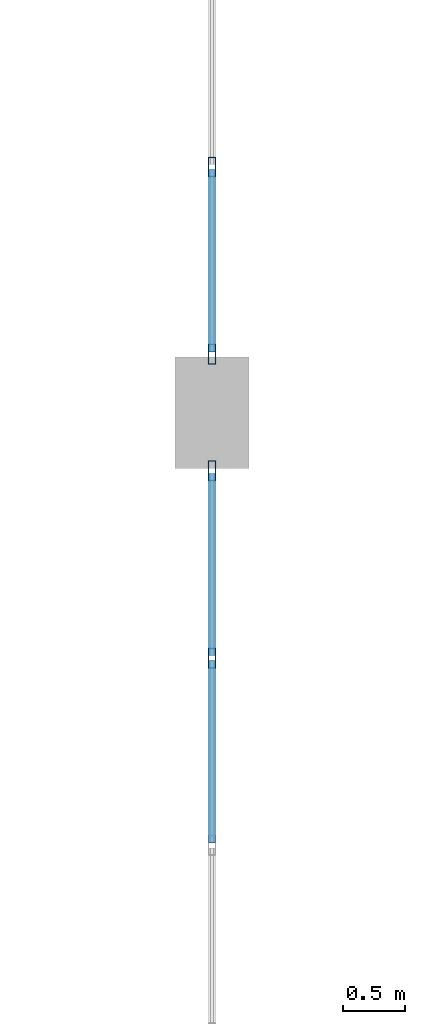
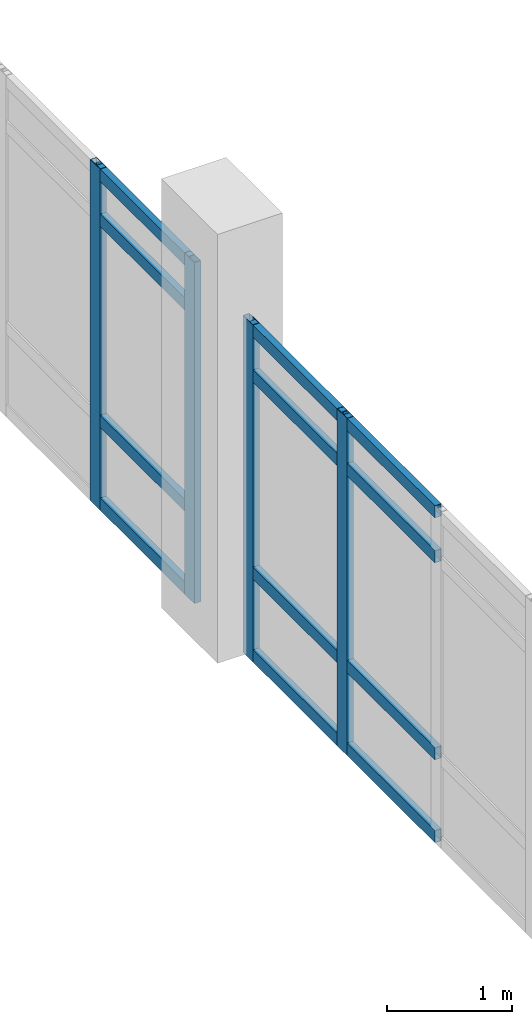
# One storey, part 16 of 111: 16 members, 2 elements without a shape of their own.
"""IFC4 building model written with IfcOpenShell, lengths in metres."""

from ifc_helpers import new_model, si_unit, direction, frame, origin, origin_2d, place, context, subcontext, project, spatial, hollow_rectangle, extrude, material, layer, layer_set, material_profile, profile_set, type_object, element, aggregate, save


model = new_model("IFC4")

# Units and contexts
model_context = context("Model", 3, precision=1e-05, world=origin(), true_north=direction((0.0, 1.0)))
body_context = subcontext(model_context, "Body", "Model", "MODEL_VIEW")
ifc_project = project(units=[si_unit("LENGTHUNIT", "METRE"), si_unit("AREAUNIT", "SQUARE_METRE"), si_unit("VOLUMEUNIT", "CUBIC_METRE"), si_unit("PLANEANGLEUNIT", "RADIAN"), si_unit("MASSUNIT", "GRAM", prefix="KILO")], contexts=[model_context])

# Site, building, storey
site_placement = place(None, origin())
site = spatial("IfcSite", under=ifc_project, at=site_placement, CompositionType="ELEMENT")
building_placement = place(site_placement, origin())
building = spatial("IfcBuilding", under=site, at=building_placement, Name="Mersad Railyard Sports Hall", CompositionType="ELEMENT")
storey_placement = place(building_placement, frame((0.0, 0.0, 9.0)))
storey = spatial("IfcBuildingStorey", under=building, at=storey_placement, Name="L02", CompositionType="ELEMENT", Elevation=9.0)

# Curtain wall, members
ifc_material = material(Name="Aluminium 6063-T6", Category="aluminium")
ifc_layer_1 = layer(ifc_material, 0.159912109375)
ifc_layer_set_1 = layer_set([ifc_layer_1], Name="Aluminium 6063-T6")
curtain_wall_type_1 = type_object("IfcCurtainWallType", Name="ARC-CW-CW17", PredefinedType="USERDEFINED", material=ifc_layer_set_1)
curtain_wall_1_placement = place(storey_placement, origin())
curtain_wall_1 = element("IfcCurtainWall", 1, at=curtain_wall_1_placement, inside=storey, type_object=curtain_wall_type_1, Name="Curtain wall CW17-0069", ObjectType="CURTAIN WALL", PredefinedType="USERDEFINED")
ifc_material_profile_1 = material_profile(ifc_material, hollow_rectangle(XDim=0.06005859375, YDim=0.159912109375, WallThickness=0.00390625, at=origin_2d()), Name="AL MULLION 60x160x4")
ifc_profile_set_1 = profile_set([ifc_material_profile_1], Name="Aluminium 6063-T6")
member_type_1 = type_object("IfcMemberType", Name="ARC-CW-MUL01", PredefinedType="MULLION", material=ifc_profile_set_1)
member_1_placement = place(storey_placement, frame((131.0, 31.52001953125, -0.02001953125), z_axis=(0.0, 0.0, 1.0), x_axis=(1.0, 0.0, 0.0)))
member_1 = element("IfcMember", 2, at=member_1_placement, type_object=member_type_1, Name="CW17 Mullion 6", PredefinedType="MULLION", context=body_context, shape_type="SweptSolid", body=[
    extrude(hollow_rectangle(XDim=0.06005859375, YDim=0.159912109375, WallThickness=0.00390625, at=origin_2d()), origin(), (0.0, 0.0, 1.0), 3.300048828125),
])
member_2_placement = place(storey_placement, frame((131.0, 33.030029296875, -0.02001953125), z_axis=(0.0, 0.0, 1.0), x_axis=(1.0, 0.0, 0.0)))
member_2 = element("IfcMember", 3, at=member_2_placement, type_object=member_type_1, Name="CW17 Mullion 7", PredefinedType="MULLION", context=body_context, shape_type="SweptSolid", body=[
    extrude(hollow_rectangle(XDim=0.06005859375, YDim=0.159912109375, WallThickness=0.00390625, at=origin_2d()), origin(), (0.0, 0.0, 1.0), 3.300048828125),
])

ifc_layer_2 = layer(ifc_material, 0.159912109375)
ifc_layer_set_2 = layer_set([ifc_layer_2], Name="Aluminium 6063-T6")
curtain_wall_type_2 = type_object("IfcCurtainWallType", Name="ARC-CW-CW18", PredefinedType="USERDEFINED", material=ifc_layer_set_2)
curtain_wall_2_placement = place(storey_placement, origin())
curtain_wall_2 = element("IfcCurtainWall", 4, at=curtain_wall_2_placement, inside=storey, type_object=curtain_wall_type_2, Name="Curtain wall CW18-0071", ObjectType="CURTAIN WALL", PredefinedType="USERDEFINED")
member_3_placement = place(storey_placement, frame((131.0, 33.969970703125, -0.02001953125), z_axis=(0.0, 0.0, 1.0), x_axis=(1.0, 0.0, 0.0)))
member_3 = element("IfcMember", 5, at=member_3_placement, type_object=member_type_1, Name="CW18 Mullion 1", PredefinedType="MULLION", context=body_context, shape_type="SweptSolid", body=[
    extrude(hollow_rectangle(XDim=0.06005859375, YDim=0.159912109375, WallThickness=0.00390625, at=origin_2d()), origin(), (0.0, 0.0, 1.0), 3.340087890625),
])
member_4_placement = place(storey_placement, frame((131.0, 35.47998046875, -0.02001953125), z_axis=(0.0, 0.0, 1.0), x_axis=(1.0, 0.0, 0.0)))
member_4 = element("IfcMember", 6, at=member_4_placement, type_object=member_type_1, Name="CW18 Mullion 2", PredefinedType="MULLION", context=body_context, shape_type="SweptSolid", body=[
    extrude(hollow_rectangle(XDim=0.06005859375, YDim=0.159912109375, WallThickness=0.00390625, at=origin_2d()), origin(), (0.0, 0.0, 1.0), 3.340087890625),
])

# Member
ifc_material_profile_2 = material_profile(ifc_material, hollow_rectangle(XDim=0.06005859375, YDim=0.1201171875, WallThickness=0.00390625, at=origin_2d()), Name="AL TRANSOM 60x120x4")
ifc_profile_set_2 = profile_set([ifc_material_profile_2], Name="Aluminium 6063-T6")
member_type_2 = type_object("IfcMemberType", Name="ARC-CW-TRN01", PredefinedType="USERDEFINED", material=ifc_profile_set_2)
member_5_placement = place(storey_placement, frame((131.0, 30.030029296875, 0.0400390625), z_axis=(0.0, 1.0, 0.0), x_axis=(-1.0, 0.0, 0.0)))
member_5 = element("IfcMember", 7, at=member_5_placement, type_object=member_type_2, Name="CW17 Transom 1-5", ObjectType="TRANSOM", PredefinedType="USERDEFINED", context=body_context, shape_type="SweptSolid", body=[
    extrude(hollow_rectangle(XDim=0.06005859375, YDim=0.1201171875, WallThickness=0.00390625, at=origin_2d()), origin(), (0.0, 0.0, 1.0), 1.469970703125),
])

member_6_placement = place(storey_placement, frame((131.0, 31.5400390625, 0.0400390625), z_axis=(0.0, 1.0, 0.0), x_axis=(-1.0, 0.0, 0.0)))
member_6 = element("IfcMember", 8, at=member_6_placement, type_object=member_type_2, Name="CW17 Transom 1-6", ObjectType="TRANSOM", PredefinedType="USERDEFINED", context=body_context, shape_type="SweptSolid", body=[
    extrude(hollow_rectangle(XDim=0.06005859375, YDim=0.1201171875, WallThickness=0.00390625, at=origin_2d()), origin(), (0.0, 0.0, 1.0), 1.469970703125),
])

member_7_placement = place(storey_placement, frame((131.0, 30.030029296875, 0.85009765625), z_axis=(0.0, 1.0, 0.0), x_axis=(-1.0, 0.0, 0.0)))
member_7 = element("IfcMember", 9, at=member_7_placement, type_object=member_type_2, Name="CW17 Transom 2-5", ObjectType="TRANSOM", PredefinedType="USERDEFINED", context=body_context, shape_type="SweptSolid", body=[
    extrude(hollow_rectangle(XDim=0.06005859375, YDim=0.1201171875, WallThickness=0.00390625, at=origin_2d()), origin(), (0.0, 0.0, 1.0), 1.469970703125),
])

member_8_placement = place(storey_placement, frame((131.0, 31.5400390625, 0.85009765625), z_axis=(0.0, 1.0, 0.0), x_axis=(-1.0, 0.0, 0.0)))
member_8 = element("IfcMember", 10, at=member_8_placement, type_object=member_type_2, Name="CW17 Transom 2-6", ObjectType="TRANSOM", PredefinedType="USERDEFINED", context=body_context, shape_type="SweptSolid", body=[
    extrude(hollow_rectangle(XDim=0.06005859375, YDim=0.1201171875, WallThickness=0.00390625, at=origin_2d()), origin(), (0.0, 0.0, 1.0), 1.469970703125),
])

member_9_placement = place(storey_placement, frame((131.0, 30.030029296875, 2.780029296875), z_axis=(0.0, 1.0, 0.0), x_axis=(-1.0, 0.0, 0.0)))
member_9 = element("IfcMember", 11, at=member_9_placement, type_object=member_type_2, Name="CW17 Transom 3-5", ObjectType="TRANSOM", PredefinedType="USERDEFINED", context=body_context, shape_type="SweptSolid", body=[
    extrude(hollow_rectangle(XDim=0.06005859375, YDim=0.1201171875, WallThickness=0.00390625, at=origin_2d()), origin(), (0.0, 0.0, 1.0), 1.469970703125),
])

member_10_placement = place(storey_placement, frame((131.0, 31.5400390625, 2.780029296875), z_axis=(0.0, 1.0, 0.0), x_axis=(-1.0, 0.0, 0.0)))
member_10 = element("IfcMember", 12, at=member_10_placement, type_object=member_type_2, Name="CW17 Transom 3-6", ObjectType="TRANSOM", PredefinedType="USERDEFINED", context=body_context, shape_type="SweptSolid", body=[
    extrude(hollow_rectangle(XDim=0.06005859375, YDim=0.1201171875, WallThickness=0.00390625, at=origin_2d()), origin(), (0.0, 0.0, 1.0), 1.469970703125),
])

member_11_placement = place(storey_placement, frame((131.0, 30.030029296875, 3.219970703125), z_axis=(0.0, 1.0, 0.0), x_axis=(-1.0, 0.0, 0.0)))
member_11 = element("IfcMember", 13, at=member_11_placement, type_object=member_type_2, Name="CW17 Transom 4-5", ObjectType="TRANSOM", PredefinedType="USERDEFINED", context=body_context, shape_type="SweptSolid", body=[
    extrude(hollow_rectangle(XDim=0.06005859375, YDim=0.1201171875, WallThickness=0.00390625, at=origin_2d()), origin(), (0.0, 0.0, 1.0), 1.469970703125),
])

member_12_placement = place(storey_placement, frame((131.0, 31.5400390625, 3.219970703125), z_axis=(0.0, 1.0, 0.0), x_axis=(-1.0, 0.0, 0.0)))
member_12 = element("IfcMember", 14, at=member_12_placement, type_object=member_type_2, Name="CW17 Transom 4-6", ObjectType="TRANSOM", PredefinedType="USERDEFINED", context=body_context, shape_type="SweptSolid", body=[
    extrude(hollow_rectangle(XDim=0.06005859375, YDim=0.1201171875, WallThickness=0.00390625, at=origin_2d()), origin(), (0.0, 0.0, 1.0), 1.469970703125),
])

aggregate(curtain_wall_1, [member_1, member_2, member_5, member_6, member_7, member_8, member_9, member_10, member_11, member_12])

member_13_placement = place(storey_placement, frame((131.0, 33.989990234375, 0.0400390625), z_axis=(0.0, 1.0, 0.0), x_axis=(-1.0, 0.0, 0.0)))
member_13 = element("IfcMember", 15, at=member_13_placement, type_object=member_type_2, Name="CW18 Transom 1-1", ObjectType="TRANSOM", PredefinedType="USERDEFINED", context=body_context, shape_type="SweptSolid", body=[
    extrude(hollow_rectangle(XDim=0.06005859375, YDim=0.1201171875, WallThickness=0.00390625, at=origin_2d()), origin(), (0.0, 0.0, 1.0), 1.469970703125),
])

member_14_placement = place(storey_placement, frame((131.0, 33.989990234375, 0.85009765625), z_axis=(0.0, 1.0, 0.0), x_axis=(-1.0, 0.0, 0.0)))
member_14 = element("IfcMember", 16, at=member_14_placement, type_object=member_type_2, Name="CW18 Transom 2-1", ObjectType="TRANSOM", PredefinedType="USERDEFINED", context=body_context, shape_type="SweptSolid", body=[
    extrude(hollow_rectangle(XDim=0.06005859375, YDim=0.1201171875, WallThickness=0.00390625, at=origin_2d()), origin(), (0.0, 0.0, 1.0), 1.469970703125),
])

member_15_placement = place(storey_placement, frame((131.0, 33.989990234375, 2.820068359375), z_axis=(0.0, 1.0, 0.0), x_axis=(-1.0, 0.0, 0.0)))
member_15 = element("IfcMember", 17, at=member_15_placement, type_object=member_type_2, Name="CW18 Transom 3-1", ObjectType="TRANSOM", PredefinedType="USERDEFINED", context=body_context, shape_type="SweptSolid", body=[
    extrude(hollow_rectangle(XDim=0.06005859375, YDim=0.1201171875, WallThickness=0.00390625, at=origin_2d()), origin(), (0.0, 0.0, 1.0), 1.469970703125),
])

member_16_placement = place(storey_placement, frame((131.0, 33.989990234375, 3.260009765625), z_axis=(0.0, 1.0, 0.0), x_axis=(-1.0, 0.0, 0.0)))
member_16 = element("IfcMember", 18, at=member_16_placement, type_object=member_type_2, Name="CW18 Transom 4-1", ObjectType="TRANSOM", PredefinedType="USERDEFINED", context=body_context, shape_type="SweptSolid", body=[
    extrude(hollow_rectangle(XDim=0.06005859375, YDim=0.1201171875, WallThickness=0.00390625, at=origin_2d()), origin(), (0.0, 0.0, 1.0), 1.469970703125),
])

aggregate(curtain_wall_2, [member_3, member_4, member_13, member_14, member_15, member_16])

save(model, "model.ifc")
